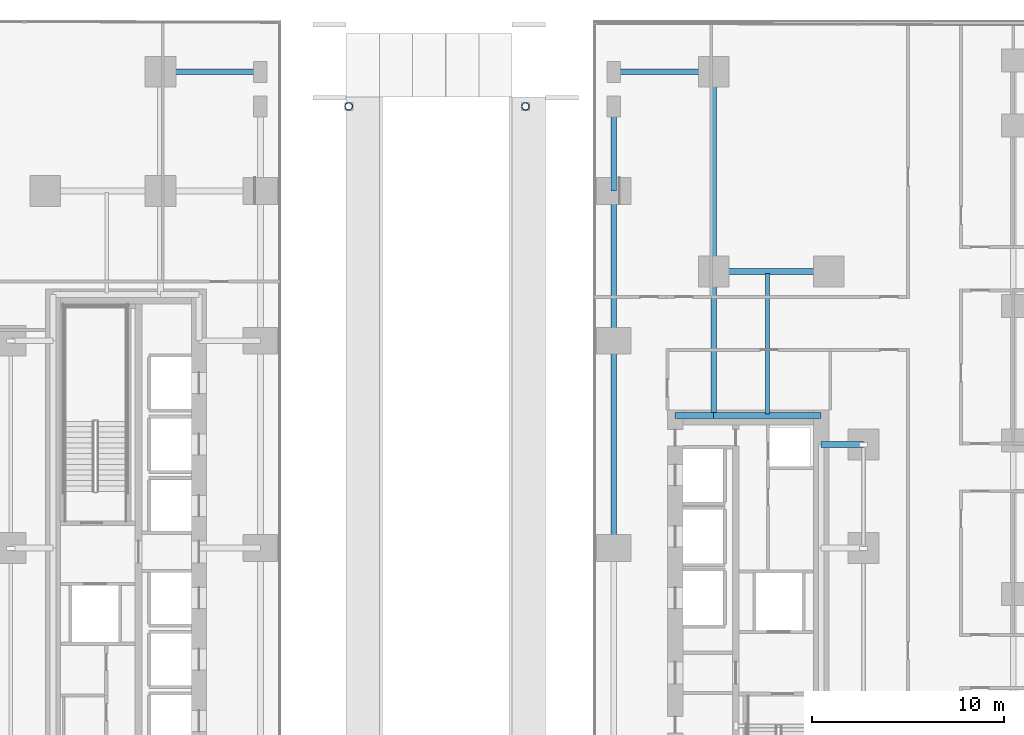
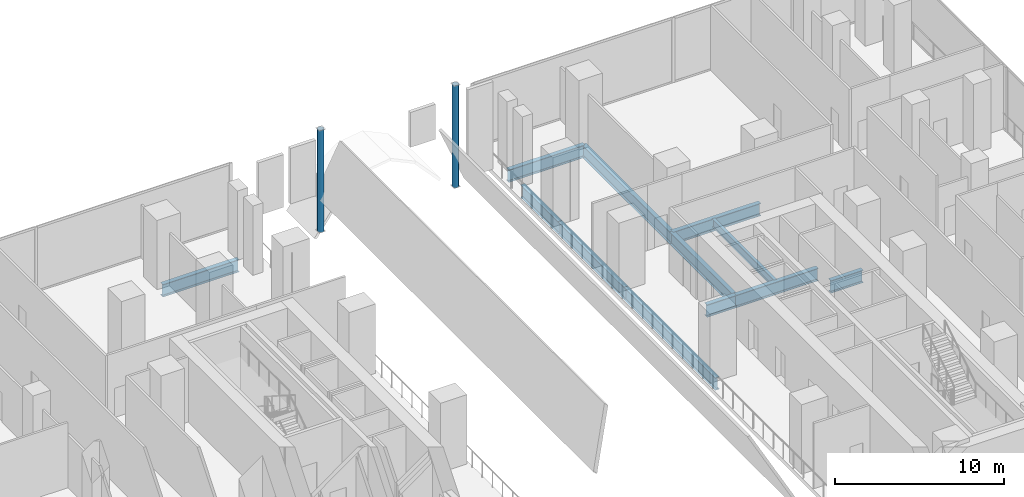
# One storey, part 4 of 31: 12 beams, 2 members.
"""IFC4 building model written with IfcOpenShell, lengths in metres."""

from ifc_helpers import new_model, si_unit, direction, frame, origin, origin_2d, place, context, subcontext, project, spatial, hollow_circle, i_section, extrude, material, material_profile, profile_set, type_object, element, save


model = new_model("IFC4")

# Units and contexts
model_context = context("Model", 3, precision=1e-05, world=origin(), true_north=direction((0.0, 1.0)))
body_context = subcontext(model_context, "Body", "Model", "MODEL_VIEW")
ifc_project = project(units=[si_unit("LENGTHUNIT", "METRE"), si_unit("AREAUNIT", "SQUARE_METRE"), si_unit("VOLUMEUNIT", "CUBIC_METRE"), si_unit("PLANEANGLEUNIT", "RADIAN"), si_unit("MASSUNIT", "GRAM", prefix="KILO")], contexts=[model_context])

# Site, building, storey
site_placement = place(None, origin())
site = spatial("IfcSite", under=ifc_project, at=site_placement, CompositionType="ELEMENT")
building_placement = place(site_placement, origin())
building = spatial("IfcBuilding", under=site, at=building_placement, Name="Khairoan Windgate Tower", CompositionType="ELEMENT")
storey_placement = place(building_placement, frame((0.0, 0.0, 11.0)))
storey = spatial("IfcBuildingStorey", under=building, at=storey_placement, Name="L03", CompositionType="ELEMENT", Elevation=11.0)

# Beams
ifc_material_1 = material(Name="Steel S355", Category="steel")
ifc_material_profile_1 = material_profile(ifc_material_1, i_section(OverallWidth=0.300048828125, OverallDepth=0.89990234375, WebThickness=0.01611328125, FlangeThickness=0.028076171875, FilletRadius=0.028076171875, at=origin_2d()))
ifc_profile_set_1 = profile_set([ifc_material_profile_1], Name="Steel S355")
beam_type_1 = type_object("IfcBeamType", Name="Beam B-G1 H900x300x16x28", PredefinedType="BEAM", material=ifc_profile_set_1)
beam_1_placement = place(storey_placement, frame((20.0, 5.39990234375, -0.75), z_axis=(1.0, 0.0, 0.0), x_axis=(0.0, 1.0, 0.0)))
element("IfcBeam", 1, at=beam_1_placement, inside=storey, type_object=beam_type_1, Name="L03 E-W Primary Girder 23", PredefinedType="BEAM", context=body_context, shape_type="SweptSolid", body=[
    extrude(i_section(OverallWidth=0.300048828125, OverallDepth=0.89990234375, WebThickness=0.01611328125, FlangeThickness=0.028076171875, FilletRadius=0.028076171875, at=origin_2d()), origin(), (0.0, 0.0, 1.0), 2.199951171875),
])
beam_2_placement = place(storey_placement, frame((12.39990234375, 6.89990234375, -0.75), z_axis=(1.0, 0.0, 0.0), x_axis=(0.0, 1.0, 0.0)))
element("IfcBeam", 2, at=beam_2_placement, inside=storey, type_object=beam_type_1, Name="L03 E-W Primary Girder 26", PredefinedType="BEAM", context=body_context, shape_type="SweptSolid", body=[
    extrude(i_section(OverallWidth=0.300048828125, OverallDepth=0.89990234375, WebThickness=0.01611328125, FlangeThickness=0.028076171875, FilletRadius=0.028076171875, at=origin_2d()), origin(), (0.0, 0.0, 1.0), 2.0),
])
beam_3_placement = place(storey_placement, frame((14.39990234375, 6.89990234375, -0.75), z_axis=(1.0, 0.0, 0.0), x_axis=(0.0, 1.0, 0.0)))
element("IfcBeam", 3, at=beam_3_placement, inside=storey, type_object=beam_type_1, Name="L03 E-W Primary Girder 27", PredefinedType="BEAM", context=body_context, shape_type="SweptSolid", body=[
    extrude(i_section(OverallWidth=0.300048828125, OverallDepth=0.89990234375, WebThickness=0.01611328125, FlangeThickness=0.028076171875, FilletRadius=0.028076171875, at=origin_2d()), origin(), (0.0, 0.0, 1.0), 5.60009765625),
])
beam_4_placement = place(storey_placement, frame((14.39990234375, 14.39990234375, -0.75), z_axis=(1.0, 0.0, 0.0), x_axis=(0.0, 1.0, 0.0)))
element("IfcBeam", 4, at=beam_4_placement, inside=storey, type_object=beam_type_1, Name="L03 E-W Primary Girder 34", PredefinedType="BEAM", context=body_context, shape_type="SweptSolid", body=[
    extrude(i_section(OverallWidth=0.300048828125, OverallDepth=0.89990234375, WebThickness=0.01611328125, FlangeThickness=0.028076171875, FilletRadius=0.028076171875, at=origin_2d()), origin(), (0.0, 0.0, 1.0), 6.0),
])
for number, where, z_axis, x_axis, name in (
    (5, (-14.39990234375, 24.800048828125, -0.75), (1.0, 0.0, 0.0), (0.0, 1.0, 0.0), "L03 E-W Primary Girder 39"),
    (6, (9.199951171875, 24.800048828125, -0.75), (1.0, 0.0, 0.0), (0.0, 1.0, 0.0), "L03 E-W Primary Girder 40"),
):
    element("IfcBeam", number, at=place(storey_placement, frame(where, z_axis=z_axis, x_axis=x_axis)), inside=storey, type_object=beam_type_1, Name=name, PredefinedType="BEAM", context=body_context, shape_type="SweptSolid", body=[
        extrude(i_section(OverallWidth=0.300048828125, OverallDepth=0.89990234375, WebThickness=0.01611328125, FlangeThickness=0.028076171875, FilletRadius=0.028076171875, at=origin_2d()), origin(), (0.0, 0.0, 1.0), 5.199951171875),
    ])
beam_5_placement = place(storey_placement, frame((9.199951171875, 0.0, -0.75), z_axis=(0.0, 1.0, 0.0), x_axis=(-1.0, 0.0, 0.0)))
element("IfcBeam", 7, at=beam_5_placement, inside=storey, type_object=beam_type_1, Name="L03 N-S Primary Beam 74", PredefinedType="BEAM", context=body_context, shape_type="SweptSolid", body=[
    extrude(i_section(OverallWidth=0.300048828125, OverallDepth=0.89990234375, WebThickness=0.01611328125, FlangeThickness=0.028076171875, FilletRadius=0.028076171875, at=origin_2d()), origin(), (0.0, 0.0, 1.0), 10.800048828125),
])
beam_6_placement = place(storey_placement, frame((9.199951171875, 10.800048828125, -0.75), z_axis=(0.0, 1.0, 0.0), x_axis=(-1.0, 0.0, 0.0)))
element("IfcBeam", 8, at=beam_6_placement, inside=storey, type_object=beam_type_1, Name="L03 N-S Primary Beam 75", PredefinedType="BEAM", context=body_context, shape_type="SweptSolid", body=[
    extrude(i_section(OverallWidth=0.300048828125, OverallDepth=0.89990234375, WebThickness=0.01611328125, FlangeThickness=0.028076171875, FilletRadius=0.028076171875, at=origin_2d()), origin(), (0.0, 0.0, 1.0), 7.800048828125),
])
beam_7_placement = place(storey_placement, frame((9.199951171875, 18.60009765625, -0.75), z_axis=(0.0, 1.0, 0.0), x_axis=(-1.0, 0.0, 0.0)))
element("IfcBeam", 9, at=beam_7_placement, inside=storey, type_object=beam_type_1, Name="L03 N-S Primary Beam 76", PredefinedType="BEAM", context=body_context, shape_type="SweptSolid", body=[
    extrude(i_section(OverallWidth=0.300048828125, OverallDepth=0.89990234375, WebThickness=0.01611328125, FlangeThickness=0.028076171875, FilletRadius=0.028076171875, at=origin_2d()), origin(), (0.0, 0.0, 1.0), 4.39990234375),
])
beam_8_placement = place(storey_placement, frame((14.39990234375, 6.89990234375, -0.75), z_axis=(0.0, 1.0, 0.0), x_axis=(-1.0, 0.0, 0.0)))
element("IfcBeam", 10, at=beam_8_placement, inside=storey, type_object=beam_type_1, Name="L03 N-S Primary Beam 79", PredefinedType="BEAM", context=body_context, shape_type="SweptSolid", body=[
    extrude(i_section(OverallWidth=0.300048828125, OverallDepth=0.89990234375, WebThickness=0.01611328125, FlangeThickness=0.028076171875, FilletRadius=0.028076171875, at=origin_2d()), origin(), (0.0, 0.0, 1.0), 7.5),
])
beam_9_placement = place(storey_placement, frame((14.39990234375, 14.39990234375, -0.75), z_axis=(0.0, 1.0, 0.0), x_axis=(-1.0, 0.0, 0.0)))
element("IfcBeam", 11, at=beam_9_placement, inside=storey, type_object=beam_type_1, Name="L03 N-S Primary Beam 80", PredefinedType="BEAM", context=body_context, shape_type="SweptSolid", body=[
    extrude(i_section(OverallWidth=0.300048828125, OverallDepth=0.89990234375, WebThickness=0.01611328125, FlangeThickness=0.028076171875, FilletRadius=0.028076171875, at=origin_2d()), origin(), (0.0, 0.0, 1.0), 10.400146484375),
])
ifc_material_2 = material(Name="Steel S355", Category="steel")
ifc_material_profile_2 = material_profile(ifc_material_2, i_section(OverallWidth=0.199951171875, OverallDepth=0.60009765625, WebThickness=0.010986328125, FlangeThickness=0.01708984375, FilletRadius=0.02197265625, at=origin_2d()))
ifc_profile_set_2 = profile_set([ifc_material_profile_2], Name="Steel S355")
beam_type_2 = type_object("IfcBeamType", Name="Beam J-S1 H600x200x11x17", PredefinedType="JOIST", material=ifc_profile_set_2)
beam_10_placement = place(storey_placement, frame((17.199951171875, 6.989990234375, -0.60009765625), z_axis=(0.0, 1.0, 0.0), x_axis=(-1.0, 0.0, 0.0)))
element("IfcBeam", 12, at=beam_10_placement, inside=storey, type_object=beam_type_2, Name="L03 Secondary Floor Joist 09", PredefinedType="JOIST", context=body_context, shape_type="SweptSolid", body=[
    extrude(i_section(OverallWidth=0.199951171875, OverallDepth=0.60009765625, WebThickness=0.010986328125, FlangeThickness=0.01708984375, FilletRadius=0.02197265625, at=origin_2d()), origin(), (0.0, 0.0, 1.0), 7.320068359375),
])

# Members
ifc_material_3 = material(Name="Steel S355", Category="steel")
ifc_material_profile_3 = material_profile(ifc_material_3, hollow_circle(Radius=0.203125, WallThickness=0.02001953125, at=origin_2d()))
ifc_profile_set_3 = profile_set([ifc_material_profile_3], Name="Steel S355")
member_type = type_object("IfcMemberType", Name="Structural Member PS-AR1 CHS406.4x20", PredefinedType="POST", material=ifc_profile_set_3)
for number, where, z_axis, x_axis, name in (
    (13, (-4.60009765625, 23.0, 1.175048828125), (0.0, 0.0, 1.0), (1.0, 0.0, 0.0), "Podium Arch Spandrel Post N-1"),
    (14, (4.60009765625, 23.0, 1.175048828125), (0.0, 0.0, 1.0), (1.0, 0.0, 0.0), "Podium Arch Spandrel Post N-2"),
):
    element("IfcMember", number, at=place(storey_placement, frame(where, z_axis=z_axis, x_axis=x_axis)), inside=storey, type_object=member_type, Name=name, PredefinedType="POST", context=body_context, shape_type="SweptSolid", body=[
        extrude(hollow_circle(Radius=0.203125, WallThickness=0.02001953125, at=origin_2d()), origin(), (0.0, 0.0, 1.0), 7.375),
    ])

save(model, "model.ifc")
